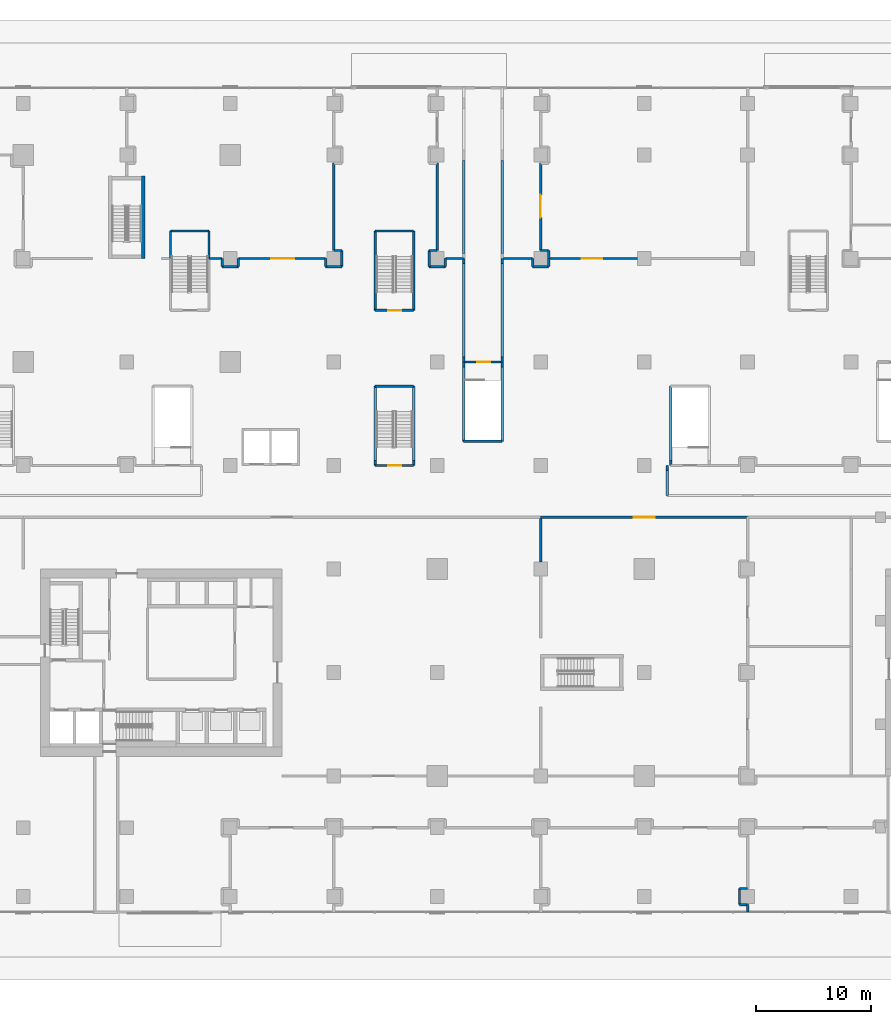
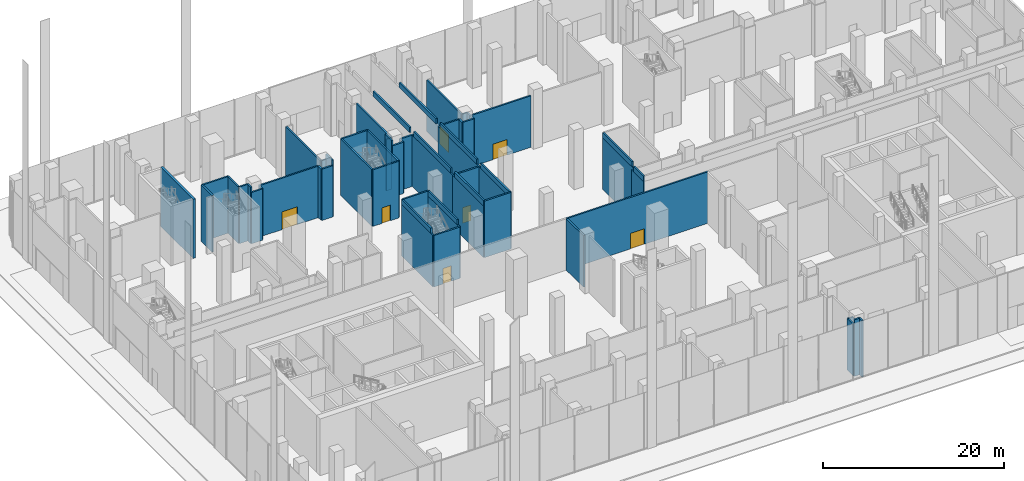
# One storey, part 20 of 42: 60 walls, 7 doors, 7 openings.
"""IFC4 building model written with IfcOpenShell, lengths in metres."""

import ifcopenshell
import ifcopenshell.guid

model = None  # the IFC model being written
_history = None  # IfcOwnerHistory: only IFC2X3 demands one
_inside = {}  # id of a spatial element -> (the spatial element, [elements in it])
_under = {}  # id of a project, library or spatial element -> (it, [spatial elements below it])
_declared = {}  # id of a project -> (the project, [libraries it declares])
_typed = {}  # id of a type object -> (the type object, [elements of that type])
_made_of = {}  # id of a material, layer set ... -> (it, [elements and type objects made of it])


def new_model(schema):
    """Start an empty IFC model of exactly this schema.

    Asked for "IFC4X3", IfcOpenShell would pick the latest addendum, in which some entities
    have other attributes; the version numbers below select the first issue.
    IFC2X3 requires an IfcOwnerHistory on every rooted entity: one is made here for all.
    """
    global model, _history
    if schema == "IFC4X3":
        model = ifcopenshell.file(schema_version=(4, 3, 0, 0))
    else:
        model = ifcopenshell.file(schema=schema)
    _inside.clear()
    _under.clear()
    _declared.clear()
    _typed.clear()
    _made_of.clear()
    _history = None
    if model.schema == "IFC2X3":
        org = make("IfcOrganization", Name="unknown")
        user = make(
            "IfcPersonAndOrganization",
            ThePerson=make("IfcPerson", FamilyName="unknown"),
            TheOrganization=org,
        )
        app = make(
            "IfcApplication",
            ApplicationDeveloper=org,
            Version="unknown",
            ApplicationFullName="unknown",
            ApplicationIdentifier="unknown",
        )
        _history = make(
            "IfcOwnerHistory",
            OwningUser=user,
            OwningApplication=app,
            ChangeAction="ADDED",
            CreationDate=0,
        )
    return model


def make(cls, **values):
    """One entity of the class cls with the attributes given. An attribute that is None is left unset."""
    return model.create_entity(
        cls, **{name: value for name, value in values.items() if value is not None}
    )


def rooted(cls, **values):
    """An entity with a GlobalId (a new one), such as an element, a storey or a relation."""
    return make(cls, GlobalId=ifcopenshell.guid.new(), OwnerHistory=_history, **values)


def si_unit(unit_type, name, prefix=None):
    """IfcSIUnit, for example si_unit("LENGTHUNIT", "METRE", prefix="MILLI")."""
    return make("IfcSIUnit", UnitType=unit_type, Prefix=prefix, Name=name)


def assignment(units):
    """IfcUnitAssignment: the units of a project."""
    return None if units is None else make("IfcUnitAssignment", Units=units)


def point(xyz):
    """IfcCartesianPoint."""
    return None if xyz is None else make("IfcCartesianPoint", Coordinates=xyz)


def direction(xyz):
    """IfcDirection."""
    return None if xyz is None else make("IfcDirection", DirectionRatios=xyz)


def frame(location, z_axis=None, x_axis=None):
    """IfcAxis2Placement3D, a coordinate frame: its origin and axes. An axis left out is left unset."""
    return make(
        "IfcAxis2Placement3D",
        Location=point(location),
        Axis=direction(z_axis),
        RefDirection=direction(x_axis),
    )


def frame_2d(location, x_axis=None):
    """IfcAxis2Placement2D, a coordinate frame in the plane: its origin and x axis."""
    return make(
        "IfcAxis2Placement2D", Location=point(location), RefDirection=direction(x_axis)
    )


def origin():
    """The frame at (0, 0, 0) with its axes left unset."""
    return frame((0.0, 0.0, 0.0))


def place(relative_to, where):
    """IfcLocalPlacement: puts the frame where relative to a parent placement (None: the world)."""
    return make(
        "IfcLocalPlacement", PlacementRelTo=relative_to, RelativePlacement=where
    )


def context(
    kind, dimensions, precision=None, world=None, true_north=None, identifier=None
):
    """IfcGeometricRepresentationContext, for example the 3D "Model" context."""
    return make(
        "IfcGeometricRepresentationContext",
        ContextIdentifier=identifier,
        ContextType=kind,
        CoordinateSpaceDimension=dimensions,
        Precision=precision,
        WorldCoordinateSystem=world,
        TrueNorth=true_north,
    )


def subcontext(parent, identifier, kind, view, scale=None):
    """IfcGeometricRepresentationSubContext, for example "Body" below "Model"."""
    return make(
        "IfcGeometricRepresentationSubContext",
        ContextIdentifier=identifier,
        ContextType=kind,
        ParentContext=parent,
        TargetScale=scale,
        TargetView=view,
    )


def project(units=None, contexts=None):
    """IfcProject with its units and contexts."""
    return rooted(
        "IfcProject",
        Name="project",
        RepresentationContexts=contexts,
        UnitsInContext=assignment(units),
    )


def spatial(cls, under=None, at=None, **own):
    """A site, building, storey or space (cls), placed at a placement, below another one or the project."""
    s = rooted(cls, ObjectPlacement=at, **own)
    if under is not None:
        _under.setdefault(under.id(), (under, []))[1].append(s)
    return s


def profile(cls, at=None, kind="AREA", **sizes):
    """A parametric profile (cls). Its sizes go by their IFC names, for example OverallWidth=200.0."""
    return make(cls, ProfileType=kind, Position=at, **sizes)


def rectangle(**sizes):
    """IfcRectangleProfileDef."""
    return profile("IfcRectangleProfileDef", **sizes)


def extrude(swept, where, along, depth):
    """IfcExtrudedAreaSolid: the profile swept, set in the frame where, extruded along a direction by depth."""
    return make(
        "IfcExtrudedAreaSolid",
        SweptArea=swept,
        Position=where,
        ExtrudedDirection=direction(along),
        Depth=depth,
    )


def shape(context_of_items, identifier, shape_type, items):
    """IfcShapeRepresentation: the items that make up one representation, for example the "Body"."""
    return make(
        "IfcShapeRepresentation",
        ContextOfItems=context_of_items,
        RepresentationIdentifier=identifier,
        RepresentationType=shape_type,
        Items=items,
    )


def material(Name=None, Category=None):
    """IfcMaterial."""
    return make("IfcMaterial", Name=Name, Category=Category)


def layer(
    of_material, thickness, ventilated=None, Name=None, Category=None, Priority=None
):
    """IfcMaterialLayer: one layer of a wall or slab, of a material (None: an air gap)."""
    return make(
        "IfcMaterialLayer",
        Material=of_material,
        LayerThickness=thickness,
        IsVentilated=ventilated,
        Name=Name,
        Category=Category,
        Priority=Priority,
    )


def layer_set(layers, Name=None):
    """IfcMaterialLayerSet."""
    return make("IfcMaterialLayerSet", MaterialLayers=layers, LayerSetName=Name)


def made_of(thing, what):
    """Note that an element or type object is made of a material, layer set ...; save() writes the relation."""
    if what is not None:
        _made_of.setdefault(what.id(), (what, []))[1].append(thing)
    return thing


def type_object(cls, material=None, **own):
    """A type object (cls), such as IfcWallType, which elements share."""
    return made_of(rooted(cls, **own), material)


def element(
    cls,
    number,
    at=None,
    inside=None,
    cuts=None,
    type_object=None,
    material=None,
    context=None,
    identifier="Body",
    shape_type=None,
    held_by="IfcProductDefinitionShape",
    body=None,
    shapes=None,
    **own,
):
    """One element of the class cls, such as IfcWall. Its Tag is "e" and its number.

    at: its placement. inside: the storey or other place that contains it. cuts: it is an
    opening in that element (IfcRelVoidsElement). A single representation is given by context,
    identifier, shape_type and body (its items); several are given by shapes. held_by: the class
    of the entity that holds the representations. save() writes the other relations.
    """
    e = rooted(cls, Tag="e%d" % number, ObjectPlacement=at, **own)
    if body is not None:
        shapes = [shape(context, identifier, shape_type, body)]
    if shapes is not None:
        e.Representation = make(held_by, Representations=shapes)
    if inside is not None:
        _inside.setdefault(inside.id(), (inside, []))[1].append(e)
    if cuts is not None:
        rooted(
            "IfcRelVoidsElement", RelatingBuildingElement=cuts, RelatedOpeningElement=e
        )
    if type_object is not None:
        _typed.setdefault(type_object.id(), (type_object, []))[1].append(e)
    return made_of(e, material)


def fill(opening, filler):
    """IfcRelFillsElement: the door or window that sits in an opening."""
    return rooted(
        "IfcRelFillsElement",
        RelatingOpeningElement=opening,
        RelatedBuildingElement=filler,
    )


def aggregate(whole, parts):
    """IfcRelAggregates: a whole, such as a stair, and the parts it consists of."""
    return rooted("IfcRelAggregates", RelatingObject=whole, RelatedObjects=parts)


def save(model, path):
    """Write the relations noted so far, then the file.

    IfcRelAggregates (storeys below a building ...), IfcRelContainedInSpatialStructure (elements
    in a storey), IfcRelDefinesByType, IfcRelAssociatesMaterial and IfcRelDeclares: one each for
    every whole, place, type object, material and project.
    """
    for whole, parts in _under.values():
        aggregate(whole, parts)
    for where, things in _inside.values():
        rooted(
            "IfcRelContainedInSpatialStructure",
            RelatedElements=things,
            RelatingStructure=where,
        )
    for kind, things in _typed.values():
        rooted("IfcRelDefinesByType", RelatedObjects=things, RelatingType=kind)
    for what, things in _made_of.values():
        rooted("IfcRelAssociatesMaterial", RelatedObjects=things, RelatingMaterial=what)
    for by, libraries in _declared.values():
        rooted("IfcRelDeclares", RelatingContext=by, RelatedDefinitions=libraries)
    model.write(path)


model = new_model("IFC4")

# Units and contexts
model_context = context("Model", 3, precision=1e-05, world=origin(), true_north=direction((0.0, 1.0)))
body_context = subcontext(model_context, "Body", "Model", "MODEL_VIEW")
ifc_project = project(units=[si_unit("LENGTHUNIT", "METRE"), si_unit("AREAUNIT", "SQUARE_METRE"), si_unit("VOLUMEUNIT", "CUBIC_METRE"), si_unit("PLANEANGLEUNIT", "RADIAN"), si_unit("MASSUNIT", "GRAM", prefix="KILO")], contexts=[model_context])

# Site, building, storey
site_placement = place(None, origin())
site = spatial("IfcSite", under=ifc_project, at=site_placement, CompositionType="ELEMENT")
building_placement = place(site_placement, origin())
building = spatial("IfcBuilding", under=site, at=building_placement, Name="Plateau Cross Towers", CompositionType="ELEMENT")
storey_placement = place(building_placement, origin())
storey = spatial("IfcBuildingStorey", under=building, at=storey_placement, Name="L00", CompositionType="ELEMENT", Elevation=0.0)

# Walls
ifc_material_1 = material(Name="Gypsum board on steel studs", Category="steel")
ifc_layer_1 = layer(ifc_material_1, 0.199951171875)
ifc_layer_set_1 = layer_set([ifc_layer_1], Name="Gypsum board on steel studs")
wall_type_1 = type_object("IfcWallType", Name="Podium partition 200", PredefinedType="PARTITIONING", material=ifc_layer_set_1)
wall_1_placement = place(storey_placement, frame((16.14990234375, 45.0, 0.0), z_axis=(0.0, 0.0, 1.0), x_axis=(1.0, 0.0, 0.0)))
element("IfcWall", 1, at=wall_1_placement, inside=storey, type_object=wall_type_1, Name="Partition wall", PredefinedType="PARTITIONING", context=body_context, shape_type="SweptSolid", body=[
    extrude(rectangle(XDim=1.150146484375, YDim=0.199951171875, at=frame_2d((0.5751953125, 0.0))), origin(), (0.0, 0.0, 1.0), 7.64990234375),
])
wall_2_placement = place(storey_placement, frame((17.300048828125, 45.0, 0.0), z_axis=(0.0, 0.0, 1.0), x_axis=(0.0, -1.0, 0.0)))
element("IfcWall", 2, at=wall_2_placement, inside=storey, type_object=wall_type_1, Name="Partition wall", PredefinedType="PARTITIONING", context=body_context, shape_type="SweptSolid", body=[
    extrude(rectangle(XDim=0.699951171875, YDim=0.199951171875, at=frame_2d((0.35009765625, 0.0))), origin(), (0.0, 0.0, 1.0), 7.64990234375),
])
wall_3_placement = place(storey_placement, frame((17.300048828125, 44.300048828125, 0.0), z_axis=(0.0, 0.0, 1.0), x_axis=(1.0, 0.0, 0.0)))
element("IfcWall", 3, at=wall_3_placement, inside=storey, type_object=wall_type_1, Name="Partition wall", PredefinedType="PARTITIONING", context=body_context, shape_type="SweptSolid", body=[
    extrude(rectangle(XDim=1.39990234375, YDim=0.199951171875, at=frame_2d((0.699951171875, 0.0))), origin(), (0.0, 0.0, 1.0), 6.949951171875),
])
wall_4_placement = place(storey_placement, frame((18.699951171875, 44.300048828125, 0.0), z_axis=(0.0, 0.0, 1.0), x_axis=(0.0, 1.0, 0.0)))
element("IfcWall", 4, at=wall_4_placement, inside=storey, type_object=wall_type_1, Name="Partition wall", PredefinedType="PARTITIONING", context=body_context, shape_type="SweptSolid", body=[
    extrude(rectangle(XDim=0.699951171875, YDim=0.199951171875, at=frame_2d((0.35009765625, 0.0))), origin(), (0.0, 0.0, 1.0), 6.949951171875),
])

# Wall, opening, door
wall_5_placement = place(storey_placement, frame((18.699951171875, 45.0, 0.0), z_axis=(0.0, 0.0, 1.0), x_axis=(1.0, 0.0, 0.0)))
wall_5 = element("IfcWall", 5, at=wall_5_placement, inside=storey, type_object=wall_type_1, Name="Partition wall", PredefinedType="PARTITIONING", context=body_context, shape_type="SweptSolid", body=[
    extrude(rectangle(XDim=7.60009765625, YDim=0.199951171875, at=frame_2d((3.800048828125, 0.0))), origin(), (0.0, 0.0, 1.0), 6.949951171875),
])
opening_1_placement = place(wall_5_placement, frame((2.85009765625, 0.0, 0.0)))
opening_1 = element("IfcOpeningElement", 6, at=opening_1_placement, cuts=wall_5, Name="Opening 00-25", PredefinedType="OPENING", context=body_context, shape_type="SweptSolid", body=[
    extrude(rectangle(XDim=2.0, YDim=2.39990234375, at=frame_2d((1.0, 1.199951171875))), frame((0.0, 0.10986328125, 0.0), z_axis=(0.0, -1.0, 0.0), x_axis=(1.0, 0.0, 0.0)), (0.0, 0.0, 1.0), 0.219970703125),
])
ifc_material_2 = material(Name="Aluminium frame, toughened glass", Category="aluminium")
door_type_1 = type_object("IfcDoorType", Name="Shop entrance double door 2000x2400", OperationType="NOTDEFINED", PredefinedType="DOOR", material=ifc_material_2)
door_1_placement = place(opening_1_placement, origin())
door_1 = element("IfcDoor", 7, at=door_1_placement, inside=storey, type_object=door_type_1, Name="Door 00-25", OperationType="SINGLE_SWING_LEFT", OverallHeight=2.39990234375, OverallWidth=2.0, PredefinedType="DOOR", context=body_context, shape_type="SweptSolid", body=[
    extrude(rectangle(XDim=2.0, YDim=2.39990234375, at=frame_2d((1.0, 1.199951171875))), frame((0.0, 0.02490234375, 0.0), z_axis=(0.0, -1.0, 0.0), x_axis=(1.0, 0.0, 0.0)), (0.0, 0.0, 1.0), 0.050048828125),
])
fill(opening_1, door_1)

# Walls
wall_6_placement = place(storey_placement, frame((26.300048828125, 45.0, 0.0), z_axis=(0.0, 0.0, 1.0), x_axis=(0.0, -1.0, 0.0)))
element("IfcWall", 8, at=wall_6_placement, inside=storey, type_object=wall_type_1, Name="Partition wall", PredefinedType="PARTITIONING", context=body_context, shape_type="SweptSolid", body=[
    extrude(rectangle(XDim=0.699951171875, YDim=0.199951171875, at=frame_2d((0.35009765625, 0.0))), origin(), (0.0, 0.0, 1.0), 6.949951171875),
])
wall_7_placement = place(storey_placement, frame((26.300048828125, 44.300048828125, 0.0), z_axis=(0.0, 0.0, 1.0), x_axis=(1.0, 0.0, 0.0)))
element("IfcWall", 9, at=wall_7_placement, inside=storey, type_object=wall_type_1, Name="Partition wall", PredefinedType="PARTITIONING", context=body_context, shape_type="SweptSolid", body=[
    extrude(rectangle(XDim=1.39990234375, YDim=0.199951171875, at=frame_2d((0.699951171875, 0.0))), origin(), (0.0, 0.0, 1.0), 6.949951171875),
])
wall_8_placement = place(storey_placement, frame((27.699951171875, 44.300048828125, 0.0), z_axis=(0.0, 0.0, 1.0), x_axis=(0.0, 1.0, 0.0)))
element("IfcWall", 10, at=wall_8_placement, inside=storey, type_object=wall_type_1, Name="Partition wall", PredefinedType="PARTITIONING", context=body_context, shape_type="SweptSolid", body=[
    extrude(rectangle(XDim=1.39990234375, YDim=0.199951171875, at=frame_2d((0.699951171875, 0.0))), origin(), (0.0, 0.0, 1.0), 7.64990234375),
])
wall_9_placement = place(storey_placement, frame((27.699951171875, 45.699951171875, 0.0), z_axis=(0.0, 0.0, 1.0), x_axis=(-1.0, 0.0, 0.0)))
element("IfcWall", 11, at=wall_9_placement, inside=storey, type_object=wall_type_1, Name="Partition wall", PredefinedType="PARTITIONING", context=body_context, shape_type="SweptSolid", body=[
    extrude(rectangle(XDim=0.699951171875, YDim=0.199951171875, at=frame_2d((0.35009765625, 0.0))), origin(), (0.0, 0.0, 1.0), 6.949951171875),
])
wall_10_placement = place(storey_placement, frame((27.0, 45.699951171875, 0.0), z_axis=(0.0, 0.0, 1.0), x_axis=(0.0, 1.0, 0.0)))
element("IfcWall", 12, at=wall_10_placement, inside=storey, type_object=wall_type_1, Name="Partition wall", PredefinedType="PARTITIONING", context=body_context, shape_type="SweptSolid", body=[
    extrude(rectangle(XDim=7.60009765625, YDim=0.199951171875, at=frame_2d((3.800048828125, 0.0))), origin(), (0.0, 0.0, 1.0), 6.949951171875),
])

# Wall, opening, door
wall_11_placement = place(storey_placement, frame((45.699951171875, 45.0, 0.0), z_axis=(0.0, 0.0, 1.0), x_axis=(1.0, 0.0, 0.0)))
wall_11 = element("IfcWall", 13, at=wall_11_placement, inside=storey, type_object=wall_type_1, Name="Partition wall", PredefinedType="PARTITIONING", context=body_context, shape_type="SweptSolid", body=[
    extrude(rectangle(XDim=7.699951171875, YDim=0.199951171875, at=frame_2d((3.85009765625, 0.0))), origin(), (0.0, 0.0, 1.0), 6.949951171875),
])
opening_2_placement = place(wall_11_placement, frame((2.85009765625, 0.0, 0.0)))
opening_2 = element("IfcOpeningElement", 14, at=opening_2_placement, cuts=wall_11, Name="Opening 00-33", PredefinedType="OPENING", context=body_context, shape_type="SweptSolid", body=[
    extrude(rectangle(XDim=1.800048828125, YDim=2.10009765625, at=frame_2d((0.89990234375, 1.050048828125))), frame((0.0, 0.10986328125, 0.0), z_axis=(0.0, -1.0, 0.0), x_axis=(1.0, 0.0, 0.0)), (0.0, 0.0, 1.0), 0.219970703125),
])
door_type_2 = type_object("IfcDoorType", Name="Podium door pair 1800", OperationType="NOTDEFINED", PredefinedType="DOOR", material=ifc_material_2)
door_2_placement = place(opening_2_placement, origin())
door_2 = element("IfcDoor", 15, at=door_2_placement, inside=storey, type_object=door_type_2, Name="Door 00-33", OperationType="DOUBLE_DOOR_SINGLE_SWING", OverallHeight=2.10009765625, OverallWidth=1.800048828125, PredefinedType="DOOR", context=body_context, shape_type="SweptSolid", body=[
    extrude(rectangle(XDim=1.800048828125, YDim=2.10009765625, at=frame_2d((0.89990234375, 1.050048828125))), frame((0.0, 0.02490234375, 0.0), z_axis=(0.0, -1.0, 0.0), x_axis=(1.0, 0.0, 0.0)), (0.0, 0.0, 1.0), 0.050048828125),
])
fill(opening_2, door_2)

# Walls
wall_12_placement = place(storey_placement, frame((36.0, 53.300048828125, 0.0), z_axis=(0.0, 0.0, 1.0), x_axis=(0.0, -1.0, 0.0)))
element("IfcWall", 16, at=wall_12_placement, inside=storey, type_object=wall_type_1, Name="Partition wall", PredefinedType="PARTITIONING", context=body_context, shape_type="SweptSolid", body=[
    extrude(rectangle(XDim=7.60009765625, YDim=0.199951171875, at=frame_2d((3.800048828125, 0.0))), origin(), (0.0, 0.0, 1.0), 6.949951171875),
])
wall_13_placement = place(storey_placement, frame((36.0, 45.699951171875, 0.0), z_axis=(0.0, 0.0, 1.0), x_axis=(-1.0, 0.0, 0.0)))
element("IfcWall", 17, at=wall_13_placement, inside=storey, type_object=wall_type_1, Name="Partition wall", PredefinedType="PARTITIONING", context=body_context, shape_type="SweptSolid", body=[
    extrude(rectangle(XDim=0.699951171875, YDim=0.199951171875, at=frame_2d((0.35009765625, 0.0))), origin(), (0.0, 0.0, 1.0), 6.949951171875),
])
wall_14_placement = place(storey_placement, frame((35.300048828125, 45.699951171875, 0.0), z_axis=(0.0, 0.0, 1.0), x_axis=(0.0, -1.0, 0.0)))
element("IfcWall", 18, at=wall_14_placement, inside=storey, type_object=wall_type_1, Name="Partition wall", PredefinedType="PARTITIONING", context=body_context, shape_type="SweptSolid", body=[
    extrude(rectangle(XDim=1.39990234375, YDim=0.199951171875, at=frame_2d((0.699951171875, 0.0))), origin(), (0.0, 0.0, 1.0), 7.64990234375),
])
wall_15_placement = place(storey_placement, frame((35.300048828125, 44.300048828125, 0.0), z_axis=(0.0, 0.0, 1.0), x_axis=(1.0, 0.0, 0.0)))
element("IfcWall", 19, at=wall_15_placement, inside=storey, type_object=wall_type_1, Name="Partition wall", PredefinedType="PARTITIONING", context=body_context, shape_type="SweptSolid", body=[
    extrude(rectangle(XDim=1.39990234375, YDim=0.199951171875, at=frame_2d((0.699951171875, 0.0))), origin(), (0.0, 0.0, 1.0), 6.949951171875),
])
wall_16_placement = place(storey_placement, frame((36.699951171875, 44.300048828125, 0.0), z_axis=(0.0, 0.0, 1.0), x_axis=(0.0, 1.0, 0.0)))
element("IfcWall", 20, at=wall_16_placement, inside=storey, type_object=wall_type_1, Name="Partition wall", PredefinedType="PARTITIONING", context=body_context, shape_type="SweptSolid", body=[
    extrude(rectangle(XDim=0.699951171875, YDim=0.199951171875, at=frame_2d((0.35009765625, 0.0))), origin(), (0.0, 0.0, 1.0), 6.949951171875),
])
wall_17_placement = place(storey_placement, frame((36.699951171875, 45.0, 0.0), z_axis=(0.0, 0.0, 1.0), x_axis=(1.0, 0.0, 0.0)))
element("IfcWall", 21, at=wall_17_placement, inside=storey, type_object=wall_type_1, Name="Partition wall", PredefinedType="PARTITIONING", context=body_context, shape_type="SweptSolid", body=[
    extrude(rectangle(XDim=1.60009765625, YDim=0.199951171875, at=frame_2d((0.800048828125, 0.0))), origin(), (0.0, 0.0, 1.0), 6.949951171875),
])

# Wall, opening, door
wall_18_placement = place(storey_placement, frame((63.0, 22.5, 0.0), z_axis=(0.0, 0.0, 1.0), x_axis=(-1.0, 0.0, 0.0)))
wall_18 = element("IfcWall", 22, at=wall_18_placement, inside=storey, type_object=wall_type_1, Name="Partition wall", PredefinedType="PARTITIONING", context=body_context, shape_type="SweptSolid", body=[
    extrude(rectangle(XDim=18.0, YDim=0.199951171875, at=frame_2d((9.0, 0.0))), origin(), (0.0, 0.0, 1.0), 6.949951171875),
])
opening_3_placement = place(wall_18_placement, frame((8.10009765625, 0.0, 0.0)))
opening_3 = element("IfcOpeningElement", 23, at=opening_3_placement, cuts=wall_18, Name="Opening 00-37", PredefinedType="OPENING", context=body_context, shape_type="SweptSolid", body=[
    extrude(rectangle(XDim=1.800048828125, YDim=2.10009765625, at=frame_2d((0.89990234375, 1.050048828125))), frame((0.0, 0.10986328125, 0.0), z_axis=(0.0, -1.0, 0.0), x_axis=(1.0, 0.0, 0.0)), (0.0, 0.0, 1.0), 0.219970703125),
])
door_3_placement = place(opening_3_placement, origin())
door_3 = element("IfcDoor", 24, at=door_3_placement, inside=storey, type_object=door_type_2, Name="Door 00-37", OperationType="DOUBLE_DOOR_SINGLE_SWING", OverallHeight=2.10009765625, OverallWidth=1.800048828125, PredefinedType="DOOR", context=body_context, shape_type="SweptSolid", body=[
    extrude(rectangle(XDim=1.800048828125, YDim=2.10009765625, at=frame_2d((0.89990234375, 1.050048828125))), frame((0.0, 0.02490234375, 0.0), z_axis=(0.0, -1.0, 0.0), x_axis=(1.0, 0.0, 0.0)), (0.0, 0.0, 1.0), 0.050048828125),
])
fill(opening_3, door_3)

wall_19_placement = place(storey_placement, frame((45.0, 45.699951171875, 0.0), z_axis=(0.0, 0.0, 1.0), x_axis=(0.0, 1.0, 0.0)))
wall_19 = element("IfcWall", 25, at=wall_19_placement, inside=storey, type_object=wall_type_1, Name="Partition wall", PredefinedType="PARTITIONING", context=body_context, shape_type="SweptSolid", body=[
    extrude(rectangle(XDim=7.60009765625, YDim=0.199951171875, at=frame_2d((3.800048828125, 0.0))), origin(), (0.0, 0.0, 1.0), 6.949951171875),
])
opening_4_placement = place(wall_19_placement, frame((2.85009765625, 0.0, 0.0)))
opening_4 = element("IfcOpeningElement", 26, at=opening_4_placement, cuts=wall_19, Name="Opening 00-26", PredefinedType="OPENING", context=body_context, shape_type="SweptSolid", body=[
    extrude(rectangle(XDim=2.0, YDim=2.39990234375, at=frame_2d((1.0, 1.199951171875))), frame((0.0, 0.10986328125, 0.0), z_axis=(0.0, -1.0, 0.0), x_axis=(1.0, 0.0, 0.0)), (0.0, 0.0, 1.0), 0.219970703125),
])
door_4_placement = place(opening_4_placement, origin())
door_4 = element("IfcDoor", 27, at=door_4_placement, inside=storey, type_object=door_type_1, Name="Door 00-26", OperationType="SINGLE_SWING_LEFT", OverallHeight=2.39990234375, OverallWidth=2.0, PredefinedType="DOOR", context=body_context, shape_type="SweptSolid", body=[
    extrude(rectangle(XDim=2.0, YDim=2.39990234375, at=frame_2d((1.0, 1.199951171875))), frame((0.0, 0.02490234375, 0.0), z_axis=(0.0, -1.0, 0.0), x_axis=(1.0, 0.0, 0.0)), (0.0, 0.0, 1.0), 0.050048828125),
])
fill(opening_4, door_4)

# Walls
wall_20_placement = place(storey_placement, frame((45.0, 22.39990234375, 0.0), z_axis=(0.0, 0.0, 1.0), x_axis=(0.0, -1.0, 0.0)))
element("IfcWall", 28, at=wall_20_placement, inside=storey, type_object=wall_type_1, Name="Partition wall", PredefinedType="PARTITIONING", context=body_context, shape_type="SweptSolid", body=[
    extrude(rectangle(XDim=3.7998046875, YDim=0.199951171875, at=frame_2d((1.89990234375, 0.0))), origin(), (0.0, 0.0, 1.0), 6.949951171875),
])
wall_21_placement = place(storey_placement, frame((63.0, -9.800048828125, 0.0), z_axis=(0.0, 0.0, 1.0), x_axis=(-1.0, 0.0, 0.0)))
element("IfcWall", 29, at=wall_21_placement, inside=storey, type_object=wall_type_1, Name="Partition wall", PredefinedType="PARTITIONING", context=body_context, shape_type="SweptSolid", body=[
    extrude(rectangle(XDim=0.699951171875, YDim=0.199951171875, at=frame_2d((0.35009765625, 0.0))), origin(), (0.0, 0.0, 1.0), 6.949951171875),
])
wall_22_placement = place(storey_placement, frame((62.300048828125, -9.800048828125, 0.0), z_axis=(0.0, 0.0, 1.0), x_axis=(0.0, -1.0, 0.0)))
element("IfcWall", 30, at=wall_22_placement, inside=storey, type_object=wall_type_1, Name="Partition wall", PredefinedType="PARTITIONING", context=body_context, shape_type="SweptSolid", body=[
    extrude(rectangle(XDim=1.39990234375, YDim=0.199951171875, at=frame_2d((0.699951171875, 0.0))), origin(), (0.0, 0.0, 1.0), 6.949951171875),
])
wall_23_placement = place(storey_placement, frame((62.300048828125, -11.199951171875, 0.0), z_axis=(0.0, 0.0, 1.0), x_axis=(1.0, 0.0, 0.0)))
element("IfcWall", 31, at=wall_23_placement, inside=storey, type_object=wall_type_1, Name="Partition wall", PredefinedType="PARTITIONING", context=body_context, shape_type="SweptSolid", body=[
    extrude(rectangle(XDim=0.699951171875, YDim=0.199951171875, at=frame_2d((0.35009765625, 0.0))), origin(), (0.0, 0.0, 1.0), 7.64990234375),
])
wall_24_placement = place(storey_placement, frame((63.0, -11.199951171875, 0.0), z_axis=(0.0, 0.0, 1.0), x_axis=(0.0, -1.0, 0.0)))
element("IfcWall", 32, at=wall_24_placement, inside=storey, type_object=wall_type_1, Name="Partition wall", PredefinedType="PARTITIONING", context=body_context, shape_type="SweptSolid", body=[
    extrude(rectangle(XDim=0.650146484375, YDim=0.199951171875, at=frame_2d((0.3251953125, 0.0))), origin(), (0.0, 0.0, 1.0), 7.64990234375),
])
wall_25_placement = place(storey_placement, frame((41.75, 45.0, 0.0), z_axis=(0.0, 0.0, 1.0), x_axis=(1.0, 0.0, 0.0)))
element("IfcWall", 33, at=wall_25_placement, inside=storey, type_object=wall_type_1, Name="Partition wall", PredefinedType="PARTITIONING", context=body_context, shape_type="SweptSolid", body=[
    extrude(rectangle(XDim=2.550048828125, YDim=0.199951171875, at=frame_2d((1.27490234375, 0.0))), origin(), (0.0, 0.0, 1.0), 6.949951171875),
])
wall_26_placement = place(storey_placement, frame((44.300048828125, 45.0, 0.0), z_axis=(0.0, 0.0, 1.0), x_axis=(0.0, -1.0, 0.0)))
element("IfcWall", 34, at=wall_26_placement, inside=storey, type_object=wall_type_1, Name="Partition wall", PredefinedType="PARTITIONING", context=body_context, shape_type="SweptSolid", body=[
    extrude(rectangle(XDim=0.699951171875, YDim=0.199951171875, at=frame_2d((0.35009765625, 0.0))), origin(), (0.0, 0.0, 1.0), 6.949951171875),
])
wall_27_placement = place(storey_placement, frame((44.300048828125, 44.300048828125, 0.0), z_axis=(0.0, 0.0, 1.0), x_axis=(1.0, 0.0, 0.0)))
element("IfcWall", 35, at=wall_27_placement, inside=storey, type_object=wall_type_1, Name="Partition wall", PredefinedType="PARTITIONING", context=body_context, shape_type="SweptSolid", body=[
    extrude(rectangle(XDim=1.39990234375, YDim=0.199951171875, at=frame_2d((0.699951171875, 0.0))), origin(), (0.0, 0.0, 1.0), 6.949951171875),
])
for number, where, z_axis, x_axis, name in (
    (36, (45.699951171875, 44.300048828125, 0.0), (0.0, 0.0, 1.0), (0.0, 1.0, 0.0), "Partition wall"),
    (37, (45.699951171875, 45.0, 0.0), (0.0, 0.0, 1.0), (0.0, 1.0, 0.0), "Partition wall"),
    (38, (45.699951171875, 45.699951171875, 0.0), (0.0, 0.0, 1.0), (-1.0, 0.0, 0.0), "Partition wall"),
):
    element("IfcWall", number, at=place(storey_placement, frame(where, z_axis=z_axis, x_axis=x_axis)), inside=storey, type_object=wall_type_1, Name=name, PredefinedType="PARTITIONING", context=body_context, shape_type="SweptSolid", body=[
        extrude(rectangle(XDim=0.699951171875, YDim=0.199951171875, at=frame_2d((0.35009765625, 0.0))), origin(), (0.0, 0.0, 1.0), 6.949951171875),
    ])
ifc_material_3 = material(Name="Fire-rated plasterboard shaft wall system")
ifc_layer_2 = layer(ifc_material_3, 0.199951171875)
ifc_layer_set_2 = layer_set([ifc_layer_2], Name="Fire-rated plasterboard shaft wall system")
wall_type_2 = type_object("IfcWallType", Name="Podium stair shaft wall 200", PredefinedType="PARTITIONING", material=ifc_layer_set_2)
wall_28_placement = place(storey_placement, frame((30.60009765625, 27.0, 0.0), z_axis=(0.0, 0.0, 1.0), x_axis=(0.0, 1.0, 0.0)))
element("IfcWall", 39, at=wall_28_placement, inside=storey, type_object=wall_type_2, Name="Partition wall", PredefinedType="PARTITIONING", context=body_context, shape_type="SweptSolid", body=[
    extrude(rectangle(XDim=6.89990234375, YDim=0.199951171875, at=frame_2d((3.449951171875, 0.0))), origin(), (0.0, 0.0, 1.0), 6.949951171875),
])
wall_29_placement = place(storey_placement, frame((30.60009765625, 33.89990234375, 0.0), z_axis=(0.0, 0.0, 1.0), x_axis=(1.0, 0.0, 0.0)))
element("IfcWall", 40, at=wall_29_placement, inside=storey, type_object=wall_type_2, Name="Partition wall", PredefinedType="PARTITIONING", context=body_context, shape_type="SweptSolid", body=[
    extrude(rectangle(XDim=3.349853515625, YDim=0.199951171875, at=frame_2d((1.6748046875, 0.0))), origin(), (0.0, 0.0, 1.0), 7.64990234375),
])
wall_30_placement = place(storey_placement, frame((33.949951171875, 33.89990234375, 0.0), z_axis=(0.0, 0.0, 1.0), x_axis=(0.0, -1.0, 0.0)))
element("IfcWall", 41, at=wall_30_placement, inside=storey, type_object=wall_type_2, Name="Partition wall", PredefinedType="PARTITIONING", context=body_context, shape_type="SweptSolid", body=[
    extrude(rectangle(XDim=6.89990234375, YDim=0.199951171875, at=frame_2d((3.449951171875, 0.0))), origin(), (0.0, 0.0, 1.0), 6.949951171875),
])

# Wall, opening, door
wall_31_placement = place(storey_placement, frame((33.949951171875, 27.0, 0.0), z_axis=(0.0, 0.0, 1.0), x_axis=(-1.0, 0.0, 0.0)))
wall_31 = element("IfcWall", 42, at=wall_31_placement, inside=storey, type_object=wall_type_2, Name="Partition wall", PredefinedType="PARTITIONING", context=body_context, shape_type="SweptSolid", body=[
    extrude(rectangle(XDim=3.349853515625, YDim=0.199951171875, at=frame_2d((1.6748046875, 0.0))), origin(), (0.0, 0.0, 1.0), 6.949951171875),
])
opening_5_placement = place(wall_31_placement, frame((1.10009765625, 0.0, 0.0)))
opening_5 = element("IfcOpeningElement", 43, at=opening_5_placement, cuts=wall_31, Name="Opening 00-07", PredefinedType="OPENING", context=body_context, shape_type="SweptSolid", body=[
    extrude(rectangle(XDim=1.10009765625, YDim=2.10009765625, at=frame_2d((0.550048828125, 1.050048828125))), frame((0.0, 0.10986328125, 0.0), z_axis=(0.0, -1.0, 0.0), x_axis=(1.0, 0.0, 0.0)), (0.0, 0.0, 1.0), 0.219970703125),
])
ifc_material_4 = material(Name="Steel, fire-resisting leaf", Category="steel")
door_type_3 = type_object("IfcDoorType", Name="Podium stair door 1100", OperationType="NOTDEFINED", PredefinedType="DOOR", material=ifc_material_4)
door_5_placement = place(opening_5_placement, origin())
door_5 = element("IfcDoor", 44, at=door_5_placement, inside=storey, type_object=door_type_3, Name="Door 00-07", OperationType="SINGLE_SWING_LEFT", OverallHeight=2.10009765625, OverallWidth=1.10009765625, PredefinedType="DOOR", context=body_context, shape_type="SweptSolid", body=[
    extrude(rectangle(XDim=1.10009765625, YDim=2.10009765625, at=frame_2d((0.550048828125, 1.050048828125))), frame((0.0, 0.02490234375, 0.0), z_axis=(0.0, -1.0, 0.0), x_axis=(1.0, 0.0, 0.0)), (0.0, 0.0, 1.0), 0.050048828125),
])
fill(opening_5, door_5)

# Walls
wall_32_placement = place(storey_placement, frame((30.60009765625, 40.5, 0.0), z_axis=(0.0, 0.0, 1.0), x_axis=(0.0, 1.0, 0.0)))
element("IfcWall", 45, at=wall_32_placement, inside=storey, type_object=wall_type_2, Name="Partition wall", PredefinedType="PARTITIONING", context=body_context, shape_type="SweptSolid", body=[
    extrude(rectangle(XDim=6.89990234375, YDim=0.199951171875, at=frame_2d((3.449951171875, 0.0))), origin(), (0.0, 0.0, 1.0), 7.64990234375),
])
wall_33_placement = place(storey_placement, frame((30.60009765625, 47.39990234375, 0.0), z_axis=(0.0, 0.0, 1.0), x_axis=(1.0, 0.0, 0.0)))
element("IfcWall", 46, at=wall_33_placement, inside=storey, type_object=wall_type_2, Name="Partition wall", PredefinedType="PARTITIONING", context=body_context, shape_type="SweptSolid", body=[
    extrude(rectangle(XDim=3.349853515625, YDim=0.199951171875, at=frame_2d((1.6748046875, 0.0))), origin(), (0.0, 0.0, 1.0), 7.64990234375),
])
wall_34_placement = place(storey_placement, frame((33.949951171875, 47.39990234375, 0.0), z_axis=(0.0, 0.0, 1.0), x_axis=(0.0, -1.0, 0.0)))
element("IfcWall", 47, at=wall_34_placement, inside=storey, type_object=wall_type_2, Name="Partition wall", PredefinedType="PARTITIONING", context=body_context, shape_type="SweptSolid", body=[
    extrude(rectangle(XDim=6.89990234375, YDim=0.199951171875, at=frame_2d((3.449951171875, 0.0))), origin(), (0.0, 0.0, 1.0), 7.64990234375),
])

# Wall, opening, door
wall_35_placement = place(storey_placement, frame((33.949951171875, 40.5, 0.0), z_axis=(0.0, 0.0, 1.0), x_axis=(-1.0, 0.0, 0.0)))
wall_35 = element("IfcWall", 48, at=wall_35_placement, inside=storey, type_object=wall_type_2, Name="Partition wall", PredefinedType="PARTITIONING", context=body_context, shape_type="SweptSolid", body=[
    extrude(rectangle(XDim=3.349853515625, YDim=0.199951171875, at=frame_2d((1.6748046875, 0.0))), origin(), (0.0, 0.0, 1.0), 7.64990234375),
])
opening_6_placement = place(wall_35_placement, frame((1.10009765625, 0.0, 0.0)))
opening_6 = element("IfcOpeningElement", 49, at=opening_6_placement, cuts=wall_35, Name="Opening 00-08", PredefinedType="OPENING", context=body_context, shape_type="SweptSolid", body=[
    extrude(rectangle(XDim=1.10009765625, YDim=2.10009765625, at=frame_2d((0.550048828125, 1.050048828125))), frame((0.0, 0.10986328125, 0.0), z_axis=(0.0, -1.0, 0.0), x_axis=(1.0, 0.0, 0.0)), (0.0, 0.0, 1.0), 0.219970703125),
])
door_6_placement = place(opening_6_placement, origin())
door_6 = element("IfcDoor", 50, at=door_6_placement, inside=storey, type_object=door_type_3, Name="Door 00-08", OperationType="SINGLE_SWING_LEFT", OverallHeight=2.10009765625, OverallWidth=1.10009765625, PredefinedType="DOOR", context=body_context, shape_type="SweptSolid", body=[
    extrude(rectangle(XDim=1.10009765625, YDim=2.10009765625, at=frame_2d((0.550048828125, 1.050048828125))), frame((0.0, 0.02490234375, 0.0), z_axis=(0.0, -1.0, 0.0), x_axis=(1.0, 0.0, 0.0)), (0.0, 0.0, 1.0), 0.050048828125),
])
fill(opening_6, door_6)

# Walls
for number, where, z_axis, x_axis, name in (
    (51, (56.300048828125, 27.0, 0.0), (0.0, 0.0, 1.0), (0.0, 1.0, 0.0), "Partition wall"),
    (52, (41.64990234375, 36.0, 0.0), (0.0, 0.0, 1.0), (0.0, -1.0, 0.0), "Partition wall"),
):
    element("IfcWall", number, at=place(storey_placement, frame(where, z_axis=z_axis, x_axis=x_axis)), inside=storey, type_object=wall_type_2, Name=name, PredefinedType="PARTITIONING", context=body_context, shape_type="SweptSolid", body=[
        extrude(rectangle(XDim=6.89990234375, YDim=0.199951171875, at=frame_2d((3.449951171875, 0.0))), origin(), (0.0, 0.0, 1.0), 6.949951171875),
    ])
wall_36_placement = place(storey_placement, frame((41.64990234375, 29.10009765625, 0.0), z_axis=(0.0, 0.0, 1.0), x_axis=(-1.0, 0.0, 0.0)))
element("IfcWall", 53, at=wall_36_placement, inside=storey, type_object=wall_type_2, Name="Partition wall", PredefinedType="PARTITIONING", context=body_context, shape_type="SweptSolid", body=[
    extrude(rectangle(XDim=3.349853515625, YDim=0.199951171875, at=frame_2d((1.6748046875, 0.0))), origin(), (0.0, 0.0, 1.0), 7.64990234375),
])
for number, where, z_axis, x_axis, name in (
    (54, (38.300048828125, 36.0, 0.0), (0.0, 0.0, 1.0), (0.0, 1.0, 0.0), "Partition wall"),
    (55, (41.64990234375, 45.0, 0.0), (0.0, 0.0, 1.0), (0.0, -1.0, 0.0), "Partition wall"),
):
    element("IfcWall", number, at=place(storey_placement, frame(where, z_axis=z_axis, x_axis=x_axis)), inside=storey, type_object=wall_type_2, Name=name, PredefinedType="PARTITIONING", context=body_context, shape_type="SweptSolid", body=[
        extrude(rectangle(XDim=9.0, YDim=0.199951171875, at=frame_2d((4.5, 0.0))), origin(), (0.0, 0.0, 1.0), 6.949951171875),
    ])
wall_37_placement = place(storey_placement, frame((12.800048828125, 45.0, 0.0), z_axis=(0.0, 0.0, 1.0), x_axis=(0.0, 1.0, 0.0)))
element("IfcWall", 56, at=wall_37_placement, inside=storey, type_object=wall_type_2, Name="Partition wall", PredefinedType="PARTITIONING", context=body_context, shape_type="SweptSolid", body=[
    extrude(rectangle(XDim=2.39990234375, YDim=0.199951171875, at=frame_2d((1.199951171875, 0.0))), origin(), (0.0, 0.0, 1.0), 7.64990234375),
])
wall_38_placement = place(storey_placement, frame((12.800048828125, 47.39990234375, 0.0), z_axis=(0.0, 0.0, 1.0), x_axis=(1.0, 0.0, 0.0)))
element("IfcWall", 57, at=wall_38_placement, inside=storey, type_object=wall_type_2, Name="Partition wall", PredefinedType="PARTITIONING", context=body_context, shape_type="SweptSolid", body=[
    extrude(rectangle(XDim=3.349853515625, YDim=0.199951171875, at=frame_2d((1.6748046875, 0.0))), origin(), (0.0, 0.0, 1.0), 7.64990234375),
])
wall_39_placement = place(storey_placement, frame((16.14990234375, 47.39990234375, 0.0), z_axis=(0.0, 0.0, 1.0), x_axis=(0.0, -1.0, 0.0)))
element("IfcWall", 58, at=wall_39_placement, inside=storey, type_object=wall_type_2, Name="Partition wall", PredefinedType="PARTITIONING", context=body_context, shape_type="SweptSolid", body=[
    extrude(rectangle(XDim=2.39990234375, YDim=0.199951171875, at=frame_2d((1.199951171875, 0.0))), origin(), (0.0, 0.0, 1.0), 7.64990234375),
])
wall_40_placement = place(storey_placement, frame((38.300048828125, 29.10009765625, 0.0), z_axis=(0.0, 0.0, 1.0), x_axis=(0.0, 1.0, 0.0)))
element("IfcWall", 59, at=wall_40_placement, inside=storey, type_object=wall_type_2, Name="Partition wall", PredefinedType="PARTITIONING", context=body_context, shape_type="SweptSolid", body=[
    extrude(rectangle(XDim=6.89990234375, YDim=0.199951171875, at=frame_2d((3.449951171875, 0.0))), origin(), (0.0, 0.0, 1.0), 6.949951171875),
])

# Wall, opening, door
wall_41_placement = place(storey_placement, frame((38.39990234375, 36.0, 0.0), z_axis=(0.0, 0.0, 1.0), x_axis=(1.0, 0.0, 0.0)))
wall_41 = element("IfcWall", 60, at=wall_41_placement, inside=storey, type_object=wall_type_2, Name="Partition wall", PredefinedType="PARTITIONING", context=body_context, shape_type="SweptSolid", body=[
    extrude(rectangle(XDim=3.150146484375, YDim=0.199951171875, at=frame_2d((1.5751953125, 0.0))), origin(), (0.0, 0.0, 1.0), 6.949951171875),
])
opening_7_placement = place(wall_41_placement, frame((1.10009765625, 0.0, 0.0)))
opening_7 = element("IfcOpeningElement", 61, at=opening_7_placement, cuts=wall_41, Name="Opening 00-06", PredefinedType="OPENING", context=body_context, shape_type="SweptSolid", body=[
    extrude(rectangle(XDim=1.10009765625, YDim=2.10009765625, at=frame_2d((0.550048828125, 1.050048828125))), frame((0.0, 0.10986328125, 0.0), z_axis=(0.0, -1.0, 0.0), x_axis=(1.0, 0.0, 0.0)), (0.0, 0.0, 1.0), 0.219970703125),
])
door_7_placement = place(opening_7_placement, origin())
door_7 = element("IfcDoor", 62, at=door_7_placement, inside=storey, type_object=door_type_3, Name="Door 00-06", OperationType="SINGLE_SWING_LEFT", OverallHeight=2.10009765625, OverallWidth=1.10009765625, PredefinedType="DOOR", context=body_context, shape_type="SweptSolid", body=[
    extrude(rectangle(XDim=1.10009765625, YDim=2.10009765625, at=frame_2d((0.550048828125, 1.050048828125))), frame((0.0, 0.02490234375, 0.0), z_axis=(0.0, -1.0, 0.0), x_axis=(1.0, 0.0, 0.0)), (0.0, 0.0, 1.0), 0.050048828125),
])
fill(opening_7, door_7)

# Walls
wall_42_placement = place(storey_placement, frame((56.0, 24.39990234375, 0.0), z_axis=(0.0, 0.0, 1.0), x_axis=(0.0, 1.0, 0.0)))
element("IfcWall", 63, at=wall_42_placement, inside=storey, type_object=wall_type_2, Name="Partition wall", PredefinedType="PARTITIONING", context=body_context, shape_type="SweptSolid", body=[
    extrude(rectangle(XDim=2.60009765625, YDim=0.199951171875, at=frame_2d((1.300048828125, 0.0))), origin(), (0.0, 0.0, 1.0), 6.949951171875),
])
for number, where, z_axis, x_axis, name in (
    (64, (30.60009765625, 27.449951171875, 6.949951171875), (0.0, 0.0, 1.0), (0.0, 1.0, 0.0), "Partition wall head"),
    (65, (33.949951171875, 33.89990234375, 6.949951171875), (0.0, 0.0, 1.0), (0.0, -1.0, 0.0), "Partition wall head"),
    (66, (56.300048828125, 27.449951171875, 6.949951171875), (0.0, 0.0, 1.0), (0.0, 1.0, 0.0), "Partition wall head"),
):
    element("IfcWall", number, at=place(storey_placement, frame(where, z_axis=z_axis, x_axis=x_axis)), inside=storey, type_object=wall_type_2, Name=name, PredefinedType="PARTITIONING", context=body_context, shape_type="SweptSolid", body=[
        extrude(rectangle(XDim=6.449951171875, YDim=0.199951171875, at=frame_2d((3.22509765625, 0.0))), origin(), (0.0, 0.0, 1.0), 0.699951171875),
    ])
for number, where, z_axis, x_axis, name in (
    (67, (41.64990234375, 53.550048828125, 6.949951171875), (0.0, 0.0, 1.0), (0.0, -1.0, 0.0), "Partition wall head"),
    (68, (38.300048828125, 45.449951171875, 6.949951171875), (0.0, 0.0, 1.0), (0.0, 1.0, 0.0), "Partition wall head"),
):
    element("IfcWall", number, at=place(storey_placement, frame(where, z_axis=z_axis, x_axis=x_axis)), inside=storey, type_object=wall_type_2, Name=name, PredefinedType="PARTITIONING", context=body_context, shape_type="SweptSolid", body=[
        extrude(rectangle(XDim=8.10009765625, YDim=0.199951171875, at=frame_2d((4.050048828125, 0.0))), origin(), (0.0, 0.0, 1.0), 0.699951171875),
    ])
wall_43_placement = place(storey_placement, frame((41.64990234375, 35.550048828125, 6.949951171875), z_axis=(0.0, 0.0, 1.0), x_axis=(0.0, -1.0, 0.0)))
element("IfcWall", 69, at=wall_43_placement, inside=storey, type_object=wall_type_2, Name="Partition wall head", PredefinedType="PARTITIONING", context=body_context, shape_type="SweptSolid", body=[
    extrude(rectangle(XDim=6.449951171875, YDim=0.199951171875, at=frame_2d((3.22509765625, 0.0))), origin(), (0.0, 0.0, 1.0), 0.699951171875),
])
for number, where, z_axis, x_axis, name in (
    (70, (38.300048828125, 36.449951171875, 6.949951171875), (0.0, 0.0, 1.0), (0.0, 1.0, 0.0), "Partition wall head"),
    (71, (41.64990234375, 44.550048828125, 6.949951171875), (0.0, 0.0, 1.0), (0.0, -1.0, 0.0), "Partition wall head"),
):
    element("IfcWall", number, at=place(storey_placement, frame(where, z_axis=z_axis, x_axis=x_axis)), inside=storey, type_object=wall_type_2, Name=name, PredefinedType="PARTITIONING", context=body_context, shape_type="SweptSolid", body=[
        extrude(rectangle(XDim=8.10009765625, YDim=0.199951171875, at=frame_2d((4.050048828125, 0.0))), origin(), (0.0, 0.0, 1.0), 0.699951171875),
    ])
wall_44_placement = place(storey_placement, frame((38.300048828125, 29.10009765625, 6.949951171875), z_axis=(0.0, 0.0, 1.0), x_axis=(0.0, 1.0, 0.0)))
element("IfcWall", 72, at=wall_44_placement, inside=storey, type_object=wall_type_2, Name="Partition wall head", PredefinedType="PARTITIONING", context=body_context, shape_type="SweptSolid", body=[
    extrude(rectangle(XDim=6.449951171875, YDim=0.199951171875, at=frame_2d((3.22509765625, 0.0))), origin(), (0.0, 0.0, 1.0), 0.699951171875),
])
wall_45_placement = place(storey_placement, frame((56.0, 24.39990234375, 6.949951171875), z_axis=(0.0, 0.0, 1.0), x_axis=(0.0, 1.0, 0.0)))
element("IfcWall", 73, at=wall_45_placement, inside=storey, type_object=wall_type_2, Name="Partition wall head", PredefinedType="PARTITIONING", context=body_context, shape_type="SweptSolid", body=[
    extrude(rectangle(XDim=2.150146484375, YDim=0.199951171875, at=frame_2d((1.0751953125, 0.0))), origin(), (0.0, 0.0, 1.0), 0.699951171875),
])
ifc_material_5 = material(Name="Concrete C60/75", Category="concrete")
ifc_layer_3 = layer(ifc_material_5, 0.300048828125)
ifc_layer_set_3 = layer_set([ifc_layer_3], Name="Concrete C60/75")
wall_type_3 = type_object("IfcWallType", Name="Stair tower wall 300", PredefinedType="SHEAR", material=ifc_layer_set_3)
wall_46_placement = place(storey_placement, frame((10.425048828125, 45.0, 0.0), z_axis=(0.0, 0.0, 1.0), x_axis=(0.0, 1.0, 0.0)))
element("IfcWall", 74, at=wall_46_placement, inside=storey, type_object=wall_type_3, Name="A-end-N-E@L00", PredefinedType="SHEAR", context=body_context, shape_type="SweptSolid", body=[
    extrude(rectangle(XDim=7.199951171875, YDim=0.300048828125, at=frame_2d((3.60009765625, 0.0))), origin(), (0.0, 0.0, 1.0), 8.0),
])

save(model, "model.ifc")
